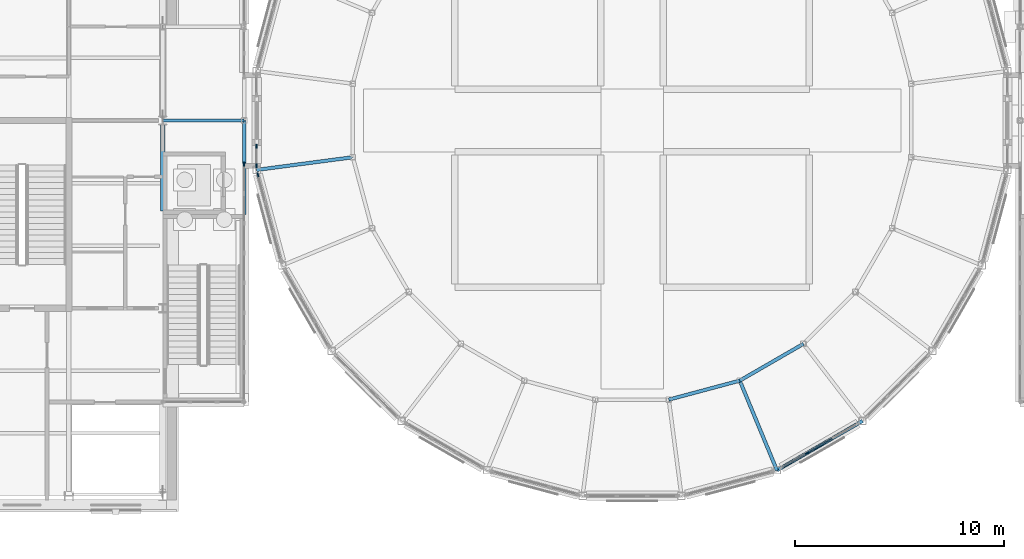
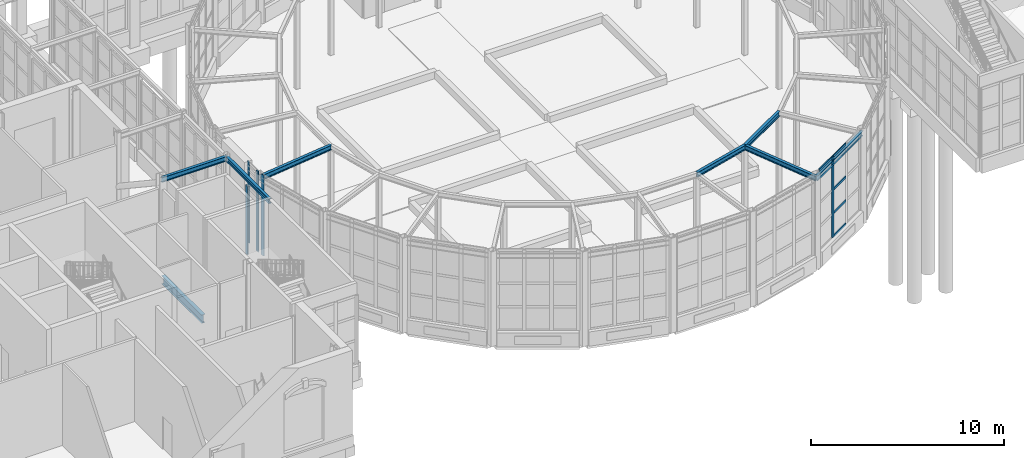
# One storey, part 29 of 106: 10 members, 8 beams, 4 elements without a shape of their own.
"""IFC4 building model written with IfcOpenShell, lengths in metres."""

from ifc_helpers import new_model, si_unit, direction, frame, origin, origin_2d, place, context, subcontext, project, spatial, rectangle, i_section, extrude, material, layer, layer_set, material_profile, profile_set, type_object, element, aggregate, save


model = new_model("IFC4")

# Units and contexts
model_context = context("Model", 3, precision=1e-05, world=origin(), true_north=direction((0.0, 1.0)))
body_context = subcontext(model_context, "Body", "Model", "MODEL_VIEW")
ifc_project = project(units=[si_unit("LENGTHUNIT", "METRE"), si_unit("AREAUNIT", "SQUARE_METRE"), si_unit("VOLUMEUNIT", "CUBIC_METRE"), si_unit("PLANEANGLEUNIT", "RADIAN"), si_unit("MASSUNIT", "GRAM", prefix="KILO")], contexts=[model_context])

# Site, building, storey
site_placement = place(None, origin())
site = spatial("IfcSite", under=ifc_project, at=site_placement, CompositionType="ELEMENT")
building_placement = place(site_placement, origin())
building = spatial("IfcBuilding", under=site, at=building_placement, Name="Hortulan Conservatory and Botanical Research Centre", CompositionType="ELEMENT")
storey_placement = place(building_placement, origin())
storey = spatial("IfcBuildingStorey", under=building, at=storey_placement, Name="L00", CompositionType="ELEMENT", Elevation=0.0)

# Curtain wall, members
ifc_material_1 = material(Name="Bronze-finished aluminium", Category="aluminium")
ifc_layer = layer(ifc_material_1, 0.10009765625)
ifc_layer_set = layer_set([ifc_layer], Name="Bronze-framed Curtain Wall 1500 module")
curtain_wall_type = type_object("IfcCurtainWallType", Name="Bronze-framed Curtain Wall 1500 module", PredefinedType="NOTDEFINED", material=ifc_layer_set)
curtain_wall_1_placement = place(storey_placement, origin())
curtain_wall_1 = element("IfcCurtainWall", 1, at=curtain_wall_1_placement, inside=storey, type_object=curtain_wall_type, Name="Curtain wall", PredefinedType="NOTDEFINED")
ifc_material_profile_1 = material_profile(ifc_material_1, rectangle(XDim=0.06005859375, YDim=0.199951171875, at=origin_2d()), Name="Bronze Mullion 60x200")
ifc_profile_set_1 = profile_set([ifc_material_profile_1], Name="Bronze-finished aluminium")
member_type_1 = type_object("IfcMemberType", Name="Bronze Mullion 60x200", PredefinedType="MULLION", material=ifc_profile_set_1)
member_1_placement = place(storey_placement, frame((36.0, 15.8349609375, 0.89990234375), z_axis=(0.0, 0.0, 1.0), x_axis=(-1.0, 0.0, 0.0)))
member_1 = element("IfcMember", 2, at=member_1_placement, type_object=member_type_1, Name="CW1 mullion 1", PredefinedType="MULLION", context=body_context, shape_type="SweptSolid", body=[
    extrude(rectangle(XDim=0.06005859375, YDim=0.199951171875, at=origin_2d()), origin(), (0.0, 0.0, 1.0), 5.10009765625),
])
member_2_placement = place(storey_placement, frame((36.0, 16.77001953125, 0.89990234375), z_axis=(0.0, 0.0, 1.0), x_axis=(-1.0, 0.0, 0.0)))
member_2 = element("IfcMember", 3, at=member_2_placement, type_object=member_type_1, Name="CW1 mullion 2", PredefinedType="MULLION", context=body_context, shape_type="SweptSolid", body=[
    extrude(rectangle(XDim=0.06005859375, YDim=0.199951171875, at=origin_2d()), origin(), (0.0, 0.0, 1.0), 5.10009765625),
])
aggregate(curtain_wall_1, [member_1, member_2])

# Curtain wall, member
curtain_wall_2_placement = place(storey_placement, origin())
curtain_wall_2 = element("IfcCurtainWall", 4, at=curtain_wall_2_placement, inside=storey, type_object=curtain_wall_type, Name="Curtain wall", PredefinedType="NOTDEFINED")
member_3_placement = place(storey_placement, frame((36.063232421875, 15.39404296875, 0.89990234375), z_axis=(0.0, 0.0, 1.0), x_axis=(-0.965922372015, -0.258831936284, 0.0)))
member_3 = element("IfcMember", 5, at=member_3_placement, type_object=member_type_1, Name="CW1 mullion 4", PredefinedType="MULLION", context=body_context, shape_type="SweptSolid", body=[
    extrude(rectangle(XDim=0.06005859375, YDim=0.199951171875, at=origin_2d()), origin(), (0.0, 0.0, 1.0), 5.10009765625),
])
aggregate(curtain_wall_2, [member_3])

curtain_wall_3_placement = place(storey_placement, origin())
curtain_wall_3 = element("IfcCurtainWall", 6, at=curtain_wall_3_placement, inside=storey, type_object=curtain_wall_type, Name="Curtain wall", PredefinedType="NOTDEFINED")
member_4_placement = place(storey_placement, frame((62.385009765625, 2.056396484375, 0.89990234375), z_axis=(0.0, 0.0, 1.0), x_axis=(0.499981160235, -0.866036280655, 0.0)))
member_4 = element("IfcMember", 7, at=member_4_placement, type_object=member_type_1, Name="CW1 mullion 3", PredefinedType="MULLION", context=body_context, shape_type="SweptSolid", body=[
    extrude(rectangle(XDim=0.06005859375, YDim=0.199951171875, at=origin_2d()), origin(), (0.0, 0.0, 1.0), 5.10009765625),
])

curtain_wall_4_placement = place(storey_placement, origin())
curtain_wall_4 = element("IfcCurtainWall", 8, at=curtain_wall_4_placement, inside=storey, type_object=curtain_wall_type, Name="Curtain wall", PredefinedType="NOTDEFINED")
member_5_placement = place(storey_placement, frame((35.39990234375, 15.900390625, 0.89990234375), z_axis=(0.0, 0.0, 1.0), x_axis=(1.0, 0.0, 0.0)))
member_5 = element("IfcMember", 9, at=member_5_placement, type_object=member_type_1, Name="CW1 mullion 1", PredefinedType="MULLION", context=body_context, shape_type="SweptSolid", body=[
    extrude(rectangle(XDim=0.06005859375, YDim=0.199951171875, at=origin_2d()), origin(), (0.0, 0.0, 1.0), 4.340087890625),
])
aggregate(curtain_wall_4, [member_5])

# Member
ifc_material_profile_2 = material_profile(ifc_material_1, rectangle(XDim=0.06005859375, YDim=0.14990234375, at=origin_2d()), Name="Bronze Transom 60x150")
ifc_profile_set_2 = profile_set([ifc_material_profile_2], Name="Bronze-finished aluminium")
member_type_2 = type_object("IfcMemberType", Name="Bronze Transom 60x150", PredefinedType="USERDEFINED", material=ifc_profile_set_2)
member_6_placement = place(storey_placement, frame((63.5888671875, 2.75146484375, 0.929931640625), z_axis=(-0.866036107898, -0.499981459473, 0.0), x_axis=(0.499981459473, -0.866036107898, 0.0)))
member_6 = element("IfcMember", 10, at=member_6_placement, type_object=member_type_2, Name="CW1 transom 2.1", ObjectType="TRANSOM", PredefinedType="USERDEFINED", context=body_context, shape_type="SweptSolid", body=[
    extrude(rectangle(XDim=0.06005859375, YDim=0.14990234375, at=origin_2d()), origin(), (0.0, 0.0, 1.0), 1.35986328125),
])

member_7_placement = place(storey_placement, frame((63.5888671875, 2.75146484375, 2.39990234375), z_axis=(-0.866036107898, -0.499981459473, 0.0), x_axis=(0.499981459473, -0.866036107898, 0.0)))
member_7 = element("IfcMember", 11, at=member_7_placement, type_object=member_type_2, Name="CW1 transom 2.2", ObjectType="TRANSOM", PredefinedType="USERDEFINED", context=body_context, shape_type="SweptSolid", body=[
    extrude(rectangle(XDim=0.06005859375, YDim=0.14990234375, at=origin_2d()), origin(), (0.0, 0.0, 1.0), 1.35986328125),
])

member_8_placement = place(storey_placement, frame((63.5888671875, 2.75146484375, 3.89990234375), z_axis=(-0.866036107898, -0.499981459473, 0.0), x_axis=(0.499981459473, -0.866036107898, 0.0)))
member_8 = element("IfcMember", 12, at=member_8_placement, type_object=member_type_2, Name="CW1 transom 2.3", ObjectType="TRANSOM", PredefinedType="USERDEFINED", context=body_context, shape_type="SweptSolid", body=[
    extrude(rectangle(XDim=0.06005859375, YDim=0.14990234375, at=origin_2d()), origin(), (0.0, 0.0, 1.0), 1.35986328125),
])

member_9_placement = place(storey_placement, frame((63.5888671875, 2.75146484375, 5.969970703125), z_axis=(-0.866036107898, -0.499981459473, 0.0), x_axis=(0.499981459473, -0.866036107898, 0.0)))
member_9 = element("IfcMember", 13, at=member_9_placement, type_object=member_type_2, Name="CW1 transom 2.4", ObjectType="TRANSOM", PredefinedType="USERDEFINED", context=body_context, shape_type="SweptSolid", body=[
    extrude(rectangle(XDim=0.06005859375, YDim=0.14990234375, at=origin_2d()), origin(), (0.0, 0.0, 1.0), 1.35986328125),
])

member_10_placement = place(storey_placement, frame((62.359130859375, 2.04150390625, 5.969970703125), z_axis=(-0.866066400931, -0.499928984136, 0.0), x_axis=(0.499928984136, -0.866066400931, 0.0)))
member_10 = element("IfcMember", 14, at=member_10_placement, type_object=member_type_2, Name="CW1 transom 3.4", ObjectType="TRANSOM", PredefinedType="USERDEFINED", context=body_context, shape_type="SweptSolid", body=[
    extrude(rectangle(XDim=0.06005859375, YDim=0.14990234375, at=origin_2d()), origin(), (0.0, 0.0, 1.0), 1.330322265625),
])

aggregate(curtain_wall_3, [member_4, member_6, member_7, member_8, member_9, member_10])

# Beams
ifc_material_2 = material(Name="Steel Grade 300PLUS (AS/NZS 3679.1, 280 MPa minimum yield)", Category="steel")
ifc_material_profile_3 = material_profile(ifc_material_2, i_section(OverallWidth=0.166015625, OverallDepth=0.306884765625, WebThickness=0.006591796875, FlangeThickness=0.01171875, FilletRadius=0.011474609375, at=origin_2d()), Name="310UB46.2")
ifc_profile_set_3 = profile_set([ifc_material_profile_3], Name="Steel Grade 300PLUS (AS/NZS 3679.1, 280 MPa minimum yield)")
beam_type_1 = type_object("IfcBeamType", Name="Dome Canopy Walk Beam 310UB46.2", PredefinedType="BEAM", material=ifc_profile_set_3)
for number, where, z_axis, x_axis, name in (
    (15, (40.615478515625, 16.23779296875, 5.646484375), (-0.991450903672, -0.130480288196, 0.0), (0.130480288196, -0.991450903672, 0.0), "Canopy walk radial beam 13"),
    (16, (59.166259765625, 5.527587890625, 5.646484375), (0.382693006879, -0.92387556656, 0.0), (0.92387556656, 0.382693006879, 0.0), "Canopy walk radial beam 20"),
):
    element("IfcBeam", number, at=place(storey_placement, frame(where, z_axis=z_axis, x_axis=x_axis)), inside=storey, type_object=beam_type_1, Name=name, PredefinedType="BEAM", context=body_context, shape_type="SweptSolid", body=[
        extrude(i_section(OverallWidth=0.166015625, OverallDepth=0.306884765625, WebThickness=0.006591796875, FlangeThickness=0.01171875, FilletRadius=0.011474609375, at=origin_2d()), origin(), (0.0, 0.0, 1.0), 4.6552734375),
    ])
beam_1_placement = place(storey_placement, frame((60.94775390625, 1.226806640625, 5.646484375), z_axis=(0.866034609785, 0.4999840544, 0.0), x_axis=(-0.4999840544, 0.866034609785, 0.0)))
element("IfcBeam", 17, at=beam_1_placement, inside=storey, type_object=beam_type_1, Name="Canopy walk edge beam 20", PredefinedType="BEAM", context=body_context, shape_type="SweptSolid", body=[
    extrude(i_section(OverallWidth=0.166015625, OverallDepth=0.306884765625, WebThickness=0.006591796875, FlangeThickness=0.01171875, FilletRadius=0.011474609375, at=origin_2d()), origin(), (0.0, 0.0, 1.0), 4.739501953125),
])
for number, where, z_axis, x_axis, name in (
    (18, (55.76220703125, 4.615478515625, 5.646484375), (0.965926096296, 0.258818037421, 0.0), (-0.258818037421, 0.965926096296, 0.0), "Canopy walk inner beam 19"),
    (19, (59.166259765625, 5.527587890625, 5.646484375), (0.866009076391, 0.500028278809, 0.0), (-0.500028278809, 0.866009076391, 0.0), "Canopy walk inner beam 20"),
):
    element("IfcBeam", number, at=place(storey_placement, frame(where, z_axis=z_axis, x_axis=x_axis)), inside=storey, type_object=beam_type_1, Name=name, PredefinedType="BEAM", context=body_context, shape_type="SweptSolid", body=[
        extrude(i_section(OverallWidth=0.166015625, OverallDepth=0.306884765625, WebThickness=0.006591796875, FlangeThickness=0.01171875, FilletRadius=0.011474609375, at=origin_2d()), origin(), (0.0, 0.0, 1.0), 3.524169921875),
    ])
ifc_material_profile_4 = material_profile(ifc_material_2, i_section(OverallWidth=0.1650390625, OverallDepth=0.303955078125, WebThickness=0.006103515625, FlangeThickness=0.01025390625, FilletRadius=0.011474609375, at=origin_2d()), Name="310UB40.4")
ifc_profile_set_4 = profile_set([ifc_material_profile_4], Name="Steel Grade 300PLUS (AS/NZS 3679.1, 280 MPa minimum yield)")
beam_type_2 = type_object("IfcBeamType", Name="Head Link Beam 310UB40.4", PredefinedType="BEAM", material=ifc_profile_set_4)
beam_2_placement = place(storey_placement, frame((31.5, 18.0, 5.697998046875), z_axis=(1.0, 0.0, 0.0), x_axis=(0.0, 1.0, 0.0)))
element("IfcBeam", 20, at=beam_2_placement, inside=storey, type_object=beam_type_2, Name="HW floor beam 2", PredefinedType="BEAM", context=body_context, shape_type="SweptSolid", body=[
    extrude(i_section(OverallWidth=0.1650390625, OverallDepth=0.303955078125, WebThickness=0.006103515625, FlangeThickness=0.01025390625, FilletRadius=0.011474609375, at=origin_2d()), origin(), (0.0, 0.0, 1.0), 3.89990234375),
])
beam_3_placement = place(storey_placement, frame((35.39990234375, 13.5, 5.697998046875), z_axis=(0.0, 1.0, 0.0), x_axis=(-1.0, 0.0, 0.0)))
element("IfcBeam", 21, at=beam_3_placement, inside=storey, type_object=beam_type_2, Name="HW floor beam 3", PredefinedType="BEAM", context=body_context, shape_type="SweptSolid", body=[
    extrude(i_section(OverallWidth=0.1650390625, OverallDepth=0.303955078125, WebThickness=0.006103515625, FlangeThickness=0.01025390625, FilletRadius=0.011474609375, at=origin_2d()), origin(), (0.0, 0.0, 1.0), 4.5),
])
ifc_material_profile_5 = material_profile(ifc_material_2, i_section(OverallWidth=0.208984375, OverallDepth=0.528076171875, WebThickness=0.009521484375, FlangeThickness=0.01318359375, FilletRadius=0.013916015625, at=origin_2d()), Name="530UB82.0")
ifc_profile_set_5 = profile_set([ifc_material_profile_5], Name="Steel Grade 300PLUS (AS/NZS 3679.1, 280 MPa minimum yield)")
beam_type_3 = type_object("IfcBeamType", Name="Primary Beam 530UB82.0", PredefinedType="BEAM", material=ifc_profile_set_5)
beam_4_placement = place(storey_placement, frame((31.5, 13.64990234375, -0.464111328125), z_axis=(0.0, 1.0, 0.0), x_axis=(-1.0, 0.0, 0.0)))
element("IfcBeam", 22, at=beam_4_placement, inside=storey, type_object=beam_type_3, Name="530UB82.0 girder", PredefinedType="BEAM", context=body_context, shape_type="SweptSolid", body=[
    extrude(i_section(OverallWidth=0.208984375, OverallDepth=0.528076171875, WebThickness=0.009521484375, FlangeThickness=0.01318359375, FilletRadius=0.013916015625, at=origin_2d()), origin(), (0.0, 0.0, 1.0), 4.13916015625),
])

save(model, "model.ifc")
